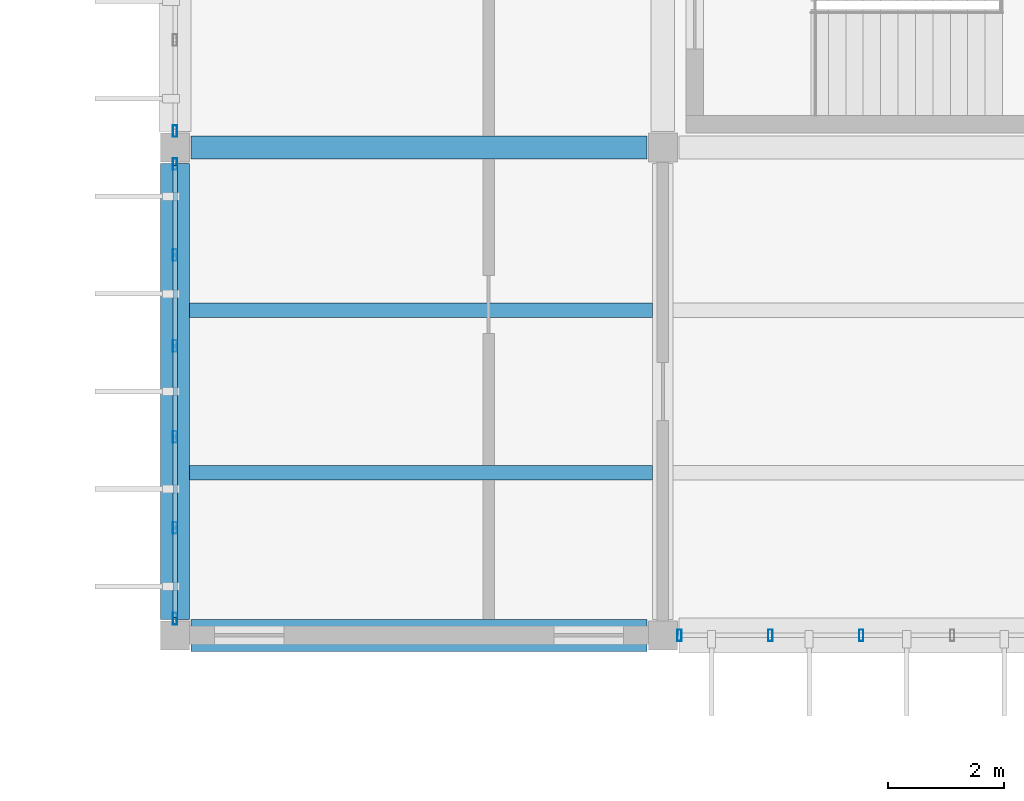
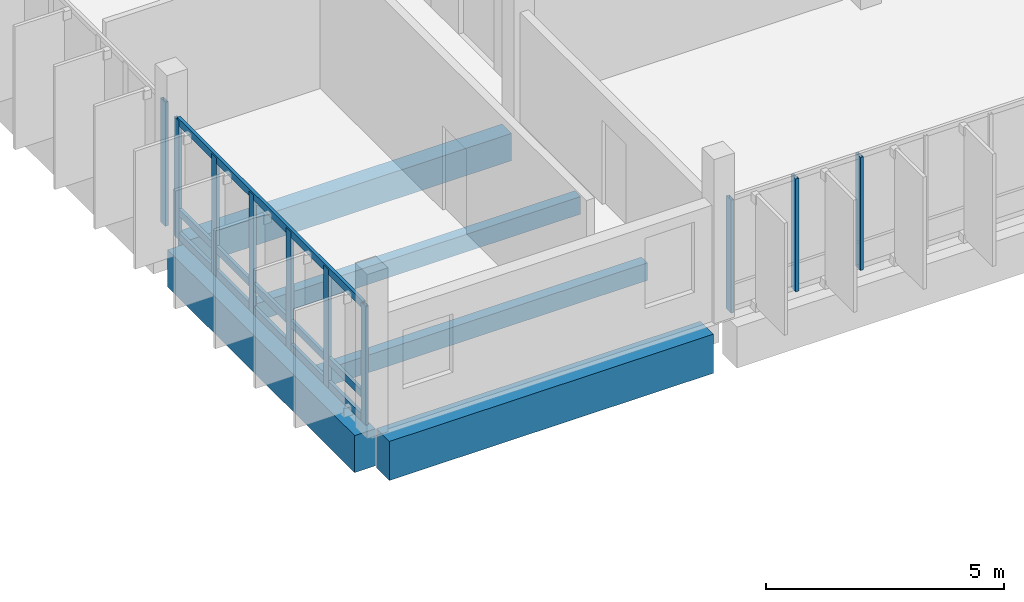
# One storey, part 2 of 107: 13 members, 5 beams, 3 elements without a shape of their own.
"""IFC4 building model written with IfcOpenShell, lengths in metres."""

from ifc_helpers import new_model, si_unit, direction, frame, origin, origin_2d, place, context, subcontext, project, spatial, rectangle, hollow_rectangle, extrude, material, layer, layer_set, material_profile, profile_set, type_object, element, aggregate, save


model = new_model("IFC4")

# Units and contexts
model_context = context("Model", 3, precision=1e-05, world=origin(), true_north=direction((0.0, 1.0)))
body_context = subcontext(model_context, "Body", "Model", "MODEL_VIEW")
ifc_project = project(units=[si_unit("LENGTHUNIT", "METRE"), si_unit("AREAUNIT", "SQUARE_METRE"), si_unit("VOLUMEUNIT", "CUBIC_METRE"), si_unit("PLANEANGLEUNIT", "RADIAN"), si_unit("MASSUNIT", "GRAM", prefix="KILO")], contexts=[model_context])

# Site, building, storey
site_placement = place(None, origin())
site = spatial("IfcSite", under=ifc_project, at=site_placement, CompositionType="ELEMENT")
building_placement = place(site_placement, origin())
building = spatial("IfcBuilding", under=site, at=building_placement, Name="Vireocrest Preparatory School", CompositionType="ELEMENT")
storey_placement = place(building_placement, frame((0.0, 0.0, 13.199951171875)))
storey = spatial("IfcBuildingStorey", under=building, at=storey_placement, Name="L03", CompositionType="ELEMENT", Elevation=13.199951171875)

# Curtain wall, members
ifc_material_1 = material(Name="Thermally broken aluminium EN AW-6063-T6", Category="aluminium")
ifc_layer_1 = layer(ifc_material_1, 0.179931640625)
ifc_layer_set_1 = layer_set([ifc_layer_1], Name="Thermally broken aluminium EN AW-6063-T6")
curtain_wall_type_1 = type_object("IfcCurtainWallType", Name="Teaching Fin Curtain Wall 8400x4200", PredefinedType="USERDEFINED", material=ifc_layer_set_1)
curtain_wall_1_placement = place(storey_placement, origin())
curtain_wall_1 = element("IfcCurtainWall", 1, at=curtain_wall_1_placement, inside=storey, type_object=curtain_wall_type_1, Name="Curtain Wall CW03 CW_L03_CW03_0420_0356_132", ObjectType="CURTAIN WALL", PredefinedType="USERDEFINED")
ifc_material_profile_1 = material_profile(ifc_material_1, hollow_rectangle(XDim=0.074951171875, YDim=0.199951171875, WallThickness=0.0048828125, at=origin_2d()), Name="ALU 75x200x5")
ifc_profile_set_1 = profile_set([ifc_material_profile_1], Name="Thermally broken aluminium EN AW-6063-T6")
member_type_1 = type_object("IfcMemberType", Name="CW Mullion 75x200x5", PredefinedType="MULLION", material=ifc_profile_set_1)
member_1_placement = place(storey_placement, frame((42.0, 35.68505859375, 0.0), z_axis=(0.0, 0.0, 1.0), x_axis=(1.0, 0.0, 0.0)))
member_1 = element("IfcMember", 2, at=member_1_placement, type_object=member_type_1, Name="CW Mullion ML3 CW_L03_CW03_0420_0356_132-1", PredefinedType="MULLION", context=body_context, shape_type="SweptSolid", body=[
    extrude(hollow_rectangle(XDim=0.074951171875, YDim=0.199951171875, WallThickness=0.0048828125, at=origin_2d()), origin(), (0.0, 0.0, 1.0), 3.045166015625),
])
member_2_placement = place(storey_placement, frame((42.0, 37.2509765625, 0.0), z_axis=(0.0, 0.0, 1.0), x_axis=(1.0, 0.0, 0.0)))
member_2 = element("IfcMember", 3, at=member_2_placement, type_object=member_type_1, Name="CW Mullion ML3 CW_L03_CW03_0420_0356_132-2", PredefinedType="MULLION", context=body_context, shape_type="SweptSolid", body=[
    extrude(hollow_rectangle(XDim=0.074951171875, YDim=0.199951171875, WallThickness=0.0048828125, at=origin_2d()), origin(), (0.0, 0.0, 1.0), 3.045166015625),
])
member_3_placement = place(storey_placement, frame((42.0, 38.81689453125, 0.0), z_axis=(0.0, 0.0, 1.0), x_axis=(1.0, 0.0, 0.0)))
member_3 = element("IfcMember", 4, at=member_3_placement, type_object=member_type_1, Name="CW Mullion ML3 CW_L03_CW03_0420_0356_132-3", PredefinedType="MULLION", context=body_context, shape_type="SweptSolid", body=[
    extrude(hollow_rectangle(XDim=0.074951171875, YDim=0.199951171875, WallThickness=0.0048828125, at=origin_2d()), origin(), (0.0, 0.0, 1.0), 3.045166015625),
])
member_4_placement = place(storey_placement, frame((42.0, 40.383056640625, 0.0), z_axis=(0.0, 0.0, 1.0), x_axis=(1.0, 0.0, 0.0)))
member_4 = element("IfcMember", 5, at=member_4_placement, type_object=member_type_1, Name="CW Mullion ML3 CW_L03_CW03_0420_0356_132-4", PredefinedType="MULLION", context=body_context, shape_type="SweptSolid", body=[
    extrude(hollow_rectangle(XDim=0.074951171875, YDim=0.199951171875, WallThickness=0.0048828125, at=origin_2d()), origin(), (0.0, 0.0, 1.0), 3.045166015625),
])
member_5_placement = place(storey_placement, frame((42.0, 41.948974609375, 0.0), z_axis=(0.0, 0.0, 1.0), x_axis=(1.0, 0.0, 0.0)))
member_5 = element("IfcMember", 6, at=member_5_placement, type_object=member_type_1, Name="CW Mullion ML3 CW_L03_CW03_0420_0356_132-5", PredefinedType="MULLION", context=body_context, shape_type="SweptSolid", body=[
    extrude(hollow_rectangle(XDim=0.074951171875, YDim=0.199951171875, WallThickness=0.0048828125, at=origin_2d()), origin(), (0.0, 0.0, 1.0), 3.045166015625),
])
member_6_placement = place(storey_placement, frame((42.0, 43.514892578125, 0.0), z_axis=(0.0, 0.0, 1.0), x_axis=(1.0, 0.0, 0.0)))
member_6 = element("IfcMember", 7, at=member_6_placement, type_object=member_type_1, Name="CW Mullion ML3 CW_L03_CW03_0420_0356_132-6", PredefinedType="MULLION", context=body_context, shape_type="SweptSolid", body=[
    extrude(hollow_rectangle(XDim=0.074951171875, YDim=0.199951171875, WallThickness=0.0048828125, at=origin_2d()), origin(), (0.0, 0.0, 1.0), 3.045166015625),
])

# Curtain wall, member
curtain_wall_2_placement = place(storey_placement, origin())
curtain_wall_2 = element("IfcCurtainWall", 8, at=curtain_wall_2_placement, inside=storey, type_object=curtain_wall_type_1, Name="Curtain Wall CW03 CW_L03_CW03_0420_0440_132", ObjectType="CURTAIN WALL", PredefinedType="USERDEFINED")
member_7_placement = place(storey_placement, frame((42.0, 44.0849609375, 0.0), z_axis=(0.0, 0.0, 1.0), x_axis=(1.0, 0.0, 0.0)))
member_7 = element("IfcMember", 9, at=member_7_placement, type_object=member_type_1, Name="CW Mullion ML3 CW_L03_CW03_0420_0440_132-1", PredefinedType="MULLION", context=body_context, shape_type="SweptSolid", body=[
    extrude(hollow_rectangle(XDim=0.074951171875, YDim=0.199951171875, WallThickness=0.0048828125, at=origin_2d()), origin(), (0.0, 0.0, 1.0), 3.175048828125),
])
aggregate(curtain_wall_2, [member_7])

# Curtain wall, members
ifc_layer_2 = layer(ifc_material_1, 0.179931640625)
ifc_layer_set_2 = layer_set([ifc_layer_2], Name="Thermally broken aluminium EN AW-6063-T6")
curtain_wall_type_2 = type_object("IfcCurtainWallType", Name="Library Reading Bay Glazing 7600x4200", PredefinedType="USERDEFINED", material=ifc_layer_set_2)
curtain_wall_3_placement = place(storey_placement, origin())
curtain_wall_3 = element("IfcCurtainWall", 10, at=curtain_wall_3_placement, inside=storey, type_object=curtain_wall_type_2, Name="Curtain Wall CW16 CW_L03_CW16_0506_0354_132", ObjectType="CURTAIN WALL", PredefinedType="USERDEFINED")
member_8_placement = place(storey_placement, frame((50.68505859375, 35.39990234375, 0.0), z_axis=(0.0, 0.0, 1.0), x_axis=(1.0, 0.0, 0.0)))
member_8 = element("IfcMember", 11, at=member_8_placement, type_object=member_type_1, Name="CW Mullion ML3 CW_L03_CW16_0506_0354_132-1", PredefinedType="MULLION", context=body_context, shape_type="SweptSolid", body=[
    extrude(hollow_rectangle(XDim=0.074951171875, YDim=0.199951171875, WallThickness=0.0048828125, at=origin_2d()), origin(), (0.0, 0.0, 1.0), 2.89501953125),
])
member_9_placement = place(storey_placement, frame((52.2509765625, 35.39990234375, 0.0), z_axis=(0.0, 0.0, 1.0), x_axis=(1.0, 0.0, 0.0)))
member_9 = element("IfcMember", 12, at=member_9_placement, type_object=member_type_1, Name="CW Mullion ML3 CW_L03_CW16_0506_0354_132-2", PredefinedType="MULLION", context=body_context, shape_type="SweptSolid", body=[
    extrude(hollow_rectangle(XDim=0.074951171875, YDim=0.199951171875, WallThickness=0.0048828125, at=origin_2d()), origin(), (0.0, 0.0, 1.0), 2.89501953125),
])
member_10_placement = place(storey_placement, frame((53.81689453125, 35.39990234375, 0.0), z_axis=(0.0, 0.0, 1.0), x_axis=(1.0, 0.0, 0.0)))
member_10 = element("IfcMember", 13, at=member_10_placement, type_object=member_type_1, Name="CW Mullion ML3 CW_L03_CW16_0506_0354_132-3", PredefinedType="MULLION", context=body_context, shape_type="SweptSolid", body=[
    extrude(hollow_rectangle(XDim=0.074951171875, YDim=0.199951171875, WallThickness=0.0048828125, at=origin_2d()), origin(), (0.0, 0.0, 1.0), 2.89501953125),
])
aggregate(curtain_wall_3, [member_8, member_9, member_10])

# Member
ifc_material_profile_2 = material_profile(ifc_material_1, hollow_rectangle(XDim=0.074951171875, YDim=0.18994140625, WallThickness=0.00390625, at=origin_2d()), Name="ALU 75x190x4")
ifc_profile_set_2 = profile_set([ifc_material_profile_2], Name="Thermally broken aluminium EN AW-6063-T6")
member_type_2 = type_object("IfcMemberType", Name="CW Transom 75x190x4", PredefinedType="USERDEFINED", material=ifc_profile_set_2)
member_11_placement = place(storey_placement, frame((42.0, 35.7099609375, 0.094970703125), z_axis=(0.0, 1.0, 0.0), x_axis=(-1.0, 0.0, 0.0)))
member_11 = element("IfcMember", 14, at=member_11_placement, type_object=member_type_2, Name="CW Transom TR3 CW_L03_CW03_0420_0356_132-1", ObjectType="TRANSOM", PredefinedType="USERDEFINED", context=body_context, shape_type="SweptSolid", body=[
    extrude(hollow_rectangle(XDim=0.074951171875, YDim=0.18994140625, WallThickness=0.00390625, at=origin_2d()), origin(), (0.0, 0.0, 1.0), 7.780029296875),
])

member_12_placement = place(storey_placement, frame((42.0, 35.7099609375, 0.699951171875), z_axis=(0.0, 1.0, 0.0), x_axis=(-1.0, 0.0, 0.0)))
member_12 = element("IfcMember", 15, at=member_12_placement, type_object=member_type_2, Name="CW Transom TR3 CW_L03_CW03_0420_0356_132-2", ObjectType="TRANSOM", PredefinedType="USERDEFINED", context=body_context, shape_type="SweptSolid", body=[
    extrude(hollow_rectangle(XDim=0.074951171875, YDim=0.18994140625, WallThickness=0.00390625, at=origin_2d()), origin(), (0.0, 0.0, 1.0), 7.780029296875),
])

member_13_placement = place(storey_placement, frame((42.0, 35.7099609375, 3.005126953125), z_axis=(0.0, 1.0, 0.0), x_axis=(-1.0, 0.0, 0.0)))
member_13 = element("IfcMember", 16, at=member_13_placement, type_object=member_type_2, Name="CW Transom TR3 CW_L03_CW03_0420_0356_132-3", ObjectType="TRANSOM", PredefinedType="USERDEFINED", context=body_context, shape_type="SweptSolid", body=[
    extrude(hollow_rectangle(XDim=0.074951171875, YDim=0.18994140625, WallThickness=0.00390625, at=origin_2d()), origin(), (0.0, 0.0, 1.0), 7.780029296875),
])

aggregate(curtain_wall_1, [member_1, member_2, member_3, member_4, member_5, member_6, member_11, member_12, member_13])

# Beams
ifc_material_2 = material(Name="Concrete 40 MPa", Category="concrete")
ifc_material_profile_3 = material_profile(ifc_material_2, rectangle(XDim=0.5, YDim=0.949951171875, at=origin_2d()), Name="RC 500x950")
ifc_profile_set_3 = profile_set([ifc_material_profile_3], Name="Concrete 40 MPa")
beam_type_1 = type_object("IfcBeamType", Name="RC Basement Ceiling Girder 500x950", PredefinedType="BEAM", material=ifc_profile_set_3)
beam_1_placement = place(storey_placement, frame((42.0, 35.675048828125, -0.71484375), z_axis=(0.0, 1.0, 0.0), x_axis=(-1.0, 0.0, 0.0)))
element("IfcBeam", 17, at=beam_1_placement, inside=storey, type_object=beam_type_1, Name="Primary Girder B16 L03-1107", PredefinedType="BEAM", context=body_context, shape_type="SweptSolid", body=[
    extrude(rectangle(XDim=0.5, YDim=0.949951171875, at=origin_2d()), origin(), (0.0, 0.0, 1.0), 7.849853515625),
])
ifc_material_profile_4 = material_profile(ifc_material_2, rectangle(XDim=0.550048828125, YDim=1.0, at=origin_2d()), Name="RC 550x1000")
ifc_profile_set_4 = profile_set([ifc_material_profile_4], Name="Concrete 40 MPa")
beam_type_2 = type_object("IfcBeamType", Name="RC Core Coupling Beam 550x1000", PredefinedType="BEAM", material=ifc_profile_set_4)
beam_2_placement = place(storey_placement, frame((42.27490234375, 35.39990234375, -0.739990234375), z_axis=(1.0, 0.0, 0.0), x_axis=(0.0, 1.0, 0.0)))
element("IfcBeam", 18, at=beam_2_placement, inside=storey, type_object=beam_type_2, Name="Primary Girder B18 L03-1042", PredefinedType="BEAM", context=body_context, shape_type="SweptSolid", body=[
    extrude(rectangle(XDim=0.550048828125, YDim=1.0, at=origin_2d()), origin(), (0.0, 0.0, 1.0), 7.85009765625),
])
ifc_material_profile_5 = material_profile(ifc_material_2, rectangle(XDim=0.39990234375, YDim=0.699951171875, at=origin_2d()), Name="RC 400x700")
ifc_profile_set_5 = profile_set([ifc_material_profile_5], Name="Concrete 40 MPa")
beam_type_3 = type_object("IfcBeamType", Name="RC Corridor Girder 400x700", PredefinedType="BEAM", material=ifc_profile_set_5)
beam_3_placement = place(storey_placement, frame((42.27490234375, 43.800048828125, -0.58984375), z_axis=(1.0, 0.0, 0.0), x_axis=(0.0, 1.0, 0.0)))
element("IfcBeam", 19, at=beam_3_placement, inside=storey, type_object=beam_type_3, Name="Primary Girder B08 L03-1050", PredefinedType="BEAM", context=body_context, shape_type="SweptSolid", body=[
    extrude(rectangle(XDim=0.39990234375, YDim=0.699951171875, at=origin_2d()), origin(), (0.0, 0.0, 1.0), 7.85009765625),
])
ifc_material_profile_6 = material_profile(ifc_material_2, rectangle(XDim=0.25, YDim=0.449951171875, at=origin_2d()), Name="RC 250x450")
ifc_profile_set_6 = profile_set([ifc_material_profile_6], Name="Concrete 40 MPa")
beam_type_4 = type_object("IfcBeamType", Name="RC Secondary Floor Joist 250x450", PredefinedType="JOIST", material=ifc_profile_set_6)
for number, where, z_axis, x_axis, name in (
    (20, (42.25, 38.199951171875, -0.46484375), (1.0, 0.0, 0.0), (0.0, 1.0, 0.0), "Secondary Joist J01 L03-1183"),
    (21, (42.25, 41.0, -0.46484375), (1.0, 0.0, 0.0), (0.0, 1.0, 0.0), "Secondary Joist J01 L03-1184"),
):
    element("IfcBeam", number, at=place(storey_placement, frame(where, z_axis=z_axis, x_axis=x_axis)), inside=storey, type_object=beam_type_4, Name=name, PredefinedType="JOIST", context=body_context, shape_type="SweptSolid", body=[
        extrude(rectangle(XDim=0.25, YDim=0.449951171875, at=origin_2d()), origin(), (0.0, 0.0, 1.0), 7.97509765625),
    ])

save(model, "model.ifc")
